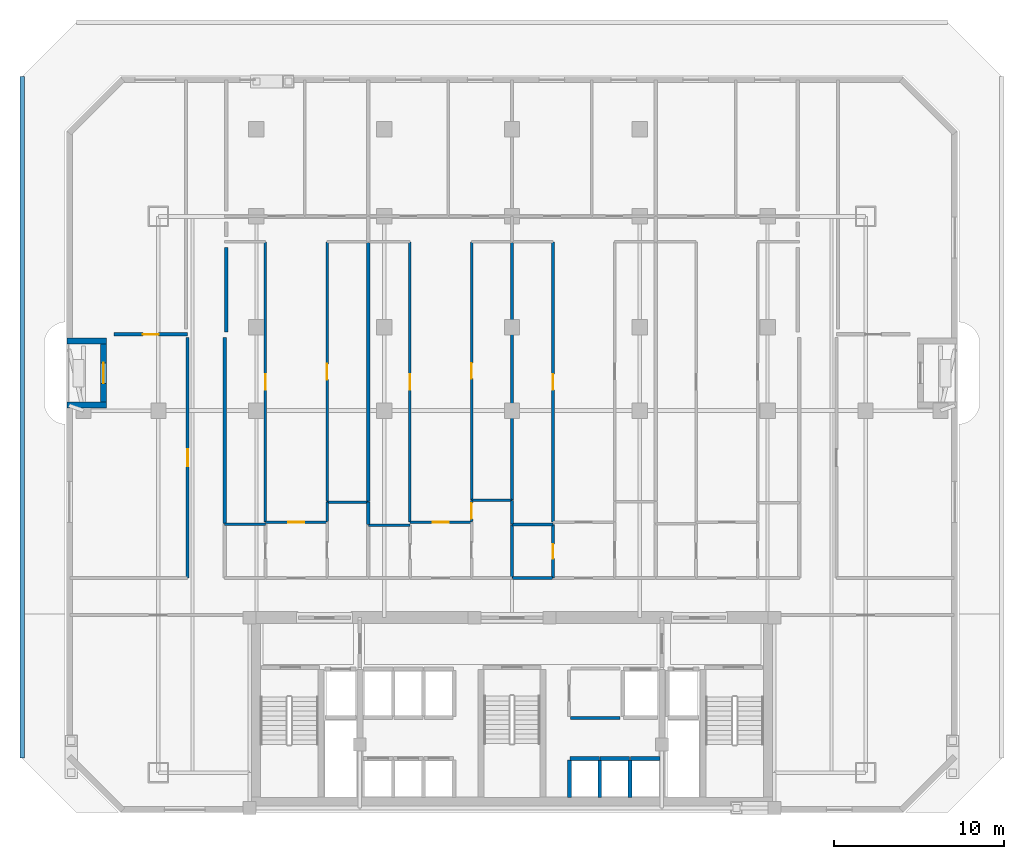
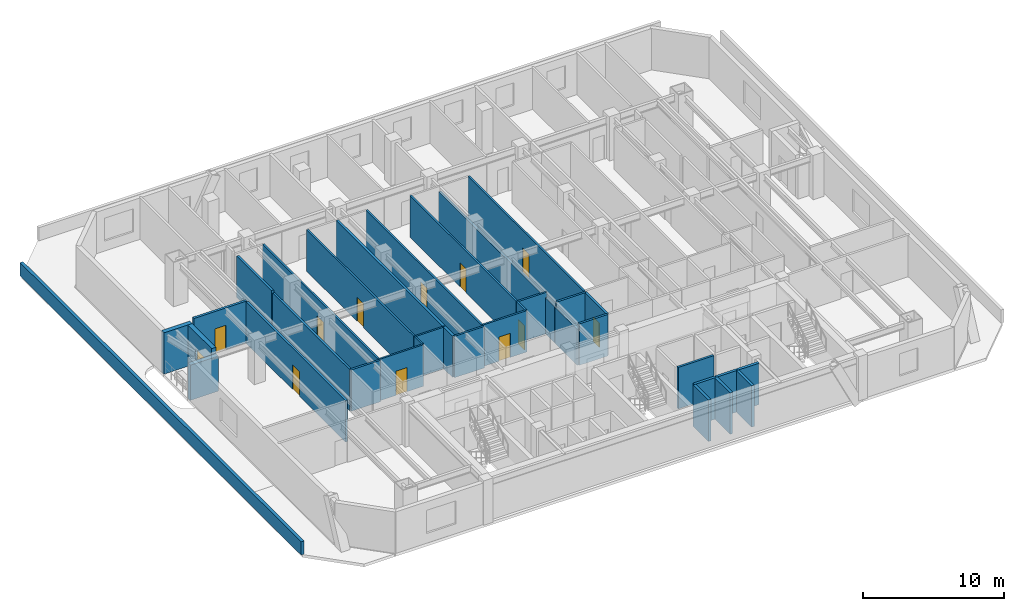
# One storey, part 4 of 10: 36 walls, 12 doors, 12 openings.
"""IFC4 building model written with IfcOpenShell, lengths in metres."""

from ifc_helpers import new_model, si_unit, direction, frame, frame_2d, origin, place, context, subcontext, project, spatial, rectangle, extrude, material, layer, layer_set, type_object, element, fill, save


model = new_model("IFC4")

# Units and contexts
model_context = context("Model", 3, precision=1e-05, world=origin(), true_north=direction((0.0, 1.0)))
body_context = subcontext(model_context, "Body", "Model", "MODEL_VIEW")
ifc_project = project(units=[si_unit("LENGTHUNIT", "METRE"), si_unit("AREAUNIT", "SQUARE_METRE"), si_unit("VOLUMEUNIT", "CUBIC_METRE"), si_unit("PLANEANGLEUNIT", "RADIAN"), si_unit("MASSUNIT", "GRAM", prefix="KILO")], contexts=[model_context])

# Site, building, storey
site_placement = place(None, origin())
site = spatial("IfcSite", under=ifc_project, at=site_placement, CompositionType="ELEMENT")
building_placement = place(site_placement, origin())
building = spatial("IfcBuilding", under=site, at=building_placement, Name="Ventersveld Concourse Tower", CompositionType="ELEMENT")
storey_placement = place(building_placement, frame((0.0, 0.0, 92.60009765625)))
storey = spatial("IfcBuildingStorey", under=building, at=storey_placement, Name="L22", CompositionType="ELEMENT", Elevation=92.60009765625)

# Wall
ifc_material_1 = material(Name="Fire-rated autoclaved aerated masonry blockwork", Category="masonry")
ifc_layer_1 = layer(ifc_material_1, 0.179931640625)
ifc_layer_set_1 = layer_set([ifc_layer_1], Name="Fire-rated autoclaved aerated masonry blockwork")
wall_type_1 = type_object("IfcWallType", Name="WL-CORR-180", PredefinedType="PARTITIONING", material=ifc_layer_set_1)
wall_1_placement = place(storey_placement, frame((32.179931640625, 5.570068359375, 0.0), z_axis=(0.0, 0.0, 1.0), x_axis=(1.0, 0.0, 0.0)))
element("IfcWall", 1, at=wall_1_placement, inside=storey, type_object=wall_type_1, Name="L22 Core Bot Wall SP-L22-CBAY1", PredefinedType="PARTITIONING", context=body_context, shape_type="SweptSolid", body=[
    extrude(rectangle(XDim=2.920166015625, YDim=0.179931640625, at=frame_2d((1.4599609375, 0.0))), origin(), (0.0, 0.0, 1.0), 3.599853515625),
])

# Wall, opening, door
wall_2_placement = place(storey_placement, frame((9.7099609375, 13.764892578125, 0.0), z_axis=(0.0, 0.0, 1.0), x_axis=(0.0, 1.0, 0.0)))
wall_2 = element("IfcWall", 2, at=wall_2_placement, inside=storey, type_object=wall_type_1, Name="L22 Interior Partition SP-L22-COR-SP-L22-NWLNG1", PredefinedType="PARTITIONING", context=body_context, shape_type="SweptSolid", body=[
    extrude(rectangle(XDim=14.130126953125, YDim=0.179931640625, at=frame_2d((7.06494140625, 0.0))), origin(), (0.0, 0.0, 1.0), 3.599853515625),
])
opening_1_placement = place(wall_2_placement, frame((6.56494140625, 0.0, 0.0)))
opening_1 = element("IfcOpeningElement", 3, at=opening_1_placement, cuts=wall_2, Name="Opening FD3", PredefinedType="OPENING", context=body_context, shape_type="SweptSolid", body=[
    extrude(rectangle(XDim=1.0, YDim=2.14990234375, at=frame_2d((0.5, 1.074951171875))), frame((0.0, 0.10009765625, 0.0), z_axis=(0.0, -1.0, 0.0), x_axis=(1.0, 0.0, 0.0)), (0.0, 0.0, 1.0), 0.199951171875),
])
ifc_material_2 = material(Name="Solid-core hardwood veneer timber", Category="wood")
door_type_1 = type_object("IfcDoorType", Name="DR-FLAT-100", OperationType="NOTDEFINED", PredefinedType="DOOR", material=ifc_material_2)
door_1_placement = place(opening_1_placement, origin())
door_1 = element("IfcDoor", 4, at=door_1_placement, inside=storey, type_object=door_type_1, Name="L22 Interior Door SP-L22-COR to SP-L22-NWLNG1 (D-L22-1070)", OperationType="SINGLE_SWING_RIGHT", OverallHeight=2.14990234375, OverallWidth=1.0, PredefinedType="DOOR", context=body_context, shape_type="SweptSolid", body=[
    extrude(rectangle(XDim=1.0, YDim=2.14990234375, at=frame_2d((0.5, 1.074951171875))), frame((0.0, 0.02490234375, 0.0), z_axis=(0.0, -1.0, 0.0), x_axis=(1.0, 0.0, 0.0)), (0.0, 0.0, 1.0), 0.050048828125),
])
fill(opening_1, door_1)

# Walls
wall_3_placement = place(storey_placement, frame((11.889892578125, 16.970947265625, 0.0), z_axis=(0.0, 0.0, 1.0), x_axis=(0.0, 1.0, 0.0)))
element("IfcWall", 5, at=wall_3_placement, inside=storey, type_object=wall_type_1, Name="L22 Interior Partition SP-L22-COR-SP-L22-22N1-OFFL0", PredefinedType="PARTITIONING", context=body_context, shape_type="SweptSolid", body=[
    extrude(rectangle(XDim=10.924072265625, YDim=0.179931640625, at=frame_2d((5.4619140625, 0.0))), origin(), (0.0, 0.0, 1.0), 3.599853515625),
])
wall_4_placement = place(storey_placement, frame((28.784912109375, 13.77001953125, 0.0), z_axis=(0.0, 0.0, 1.0), x_axis=(1.0, 0.0, 0.0)))
element("IfcWall", 6, at=wall_4_placement, inside=storey, type_object=wall_type_1, Name="L22 Interior Partition SP-L22-COR-SP-L22-22N3-BATH", PredefinedType="PARTITIONING", context=body_context, shape_type="SweptSolid", body=[
    extrude(rectangle(XDim=2.337646484375, YDim=0.179931640625, at=frame_2d((1.1689453125, 0.0))), origin(), (0.0, 0.0, 1.0), 3.599853515625),
])
wall_5_placement = place(storey_placement, frame((11.97998046875, 28.2099609375, 0.0), z_axis=(0.0, 0.0, 1.0), x_axis=(0.0, 1.0, 0.0)))
element("IfcWall", 7, at=wall_5_placement, inside=storey, type_object=wall_type_1, Name="L22 Room Enclosure Wall SP-L22-22N1-OFFL0", PredefinedType="PARTITIONING", context=body_context, shape_type="SweptSolid", body=[
    extrude(rectangle(XDim=4.965087890625, YDim=0.179931640625, at=frame_2d((2.482421875, 0.0))), origin(), (0.0, 0.0, 1.0), 3.599853515625),
])

# Wall, opening, door
ifc_layer_2 = layer(ifc_material_1, 0.199951171875)
ifc_layer_set_2 = layer_set([ifc_layer_2], Name="Fire-rated autoclaved aerated masonry blockwork")
wall_type_2 = type_object("IfcWallType", Name="WL-DEMISE-200", PredefinedType="PARTITIONING", material=ifc_layer_set_2)
wall_6_placement = place(storey_placement, frame((5.385009765625, 28.070068359375, 0.0), z_axis=(0.0, 0.0, 1.0), x_axis=(1.0, 0.0, 0.0)))
wall_6 = element("IfcWall", 8, at=wall_6_placement, inside=storey, type_object=wall_type_2, Name="L22 Interior Partition SP-L22-NWLNG1-SP-L22-NWLNG2", PredefinedType="PARTITIONING", context=body_context, shape_type="SweptSolid", body=[
    extrude(rectangle(XDim=4.330078125, YDim=0.199951171875, at=frame_2d((2.1650390625, 0.0))), origin(), (0.0, 0.0, 1.0), 3.599853515625),
])
opening_2_placement = place(wall_6_placement, frame((1.705078125, 0.0, 0.0)))
opening_2 = element("IfcOpeningElement", 9, at=opening_2_placement, cuts=wall_6, Name="Opening ID1", PredefinedType="OPENING", context=body_context, shape_type="SweptSolid", body=[
    extrude(rectangle(XDim=0.919921875, YDim=2.10009765625, at=frame_2d((0.4599609375, 1.050048828125))), frame((0.0, 0.10986328125, 0.0), z_axis=(0.0, -1.0, 0.0), x_axis=(1.0, 0.0, 0.0)), (0.0, 0.0, 1.0), 0.219970703125),
])
door_type_2 = type_object("IfcDoorType", Name="DR-ROOM-092", OperationType="NOTDEFINED", PredefinedType="DOOR", material=ifc_material_2)
door_2_placement = place(opening_2_placement, origin())
door_2 = element("IfcDoor", 10, at=door_2_placement, inside=storey, type_object=door_type_2, Name="L22 Interior Door SP-L22-NWLNG1 to SP-L22-NWLNG2 (D-L22-1076)", OperationType="SINGLE_SWING_RIGHT", OverallHeight=2.10009765625, OverallWidth=0.919921875, PredefinedType="DOOR", context=body_context, shape_type="SweptSolid", body=[
    extrude(rectangle(XDim=0.919921875, YDim=2.10009765625, at=frame_2d((0.4599609375, 1.050048828125))), frame((0.0, 0.02490234375, 0.0), z_axis=(0.0, -1.0, 0.0), x_axis=(1.0, 0.0, 0.0)), (0.0, 0.0, 1.0), 0.050048828125),
])
fill(opening_2, door_2)

# Walls
wall_7_placement = place(storey_placement, frame((20.320068359375, 16.903076171875, 0.0), z_axis=(0.0, 0.0, 1.0), x_axis=(0.0, 1.0, 0.0)))
element("IfcWall", 11, at=wall_7_placement, inside=storey, type_object=wall_type_2, Name="L22 Interior Partition SP-L22-22N1-KIT-SP-L22-22N2-MEDL0", PredefinedType="PARTITIONING", context=body_context, shape_type="SweptSolid", body=[
    extrude(rectangle(XDim=1.32861328125, YDim=0.199951171875, at=frame_2d((0.664306640625, 0.0))), origin(), (0.0, 0.0, 1.0), 3.599853515625),
])
wall_8_placement = place(storey_placement, frame((20.320068359375, 18.26171875, 0.0), z_axis=(0.0, 0.0, 1.0), x_axis=(0.0, 1.0, 0.0)))
element("IfcWall", 12, at=wall_8_placement, inside=storey, type_object=wall_type_2, Name="L22 Interior Partition SP-L22-22N1-DENR-SP-L22-22N2-MEDL0", PredefinedType="PARTITIONING", context=body_context, shape_type="SweptSolid", body=[
    extrude(rectangle(XDim=15.203369140625, YDim=0.199951171875, at=frame_2d((7.6015625, 0.0))), origin(), (0.0, 0.0, 1.0), 3.599853515625),
])
wall_9_placement = place(storey_placement, frame((28.75, 13.764892578125, 0.0), z_axis=(0.0, 0.0, 1.0), x_axis=(0.0, 1.0, 0.0)))
element("IfcWall", 13, at=wall_9_placement, inside=storey, type_object=wall_type_2, Name="L22 Interior Partition SP-L22-22N2-KIT-SP-L22-22N3-BATH", PredefinedType="PARTITIONING", context=body_context, shape_type="SweptSolid", body=[
    extrude(rectangle(XDim=3.153076171875, YDim=0.199951171875, at=frame_2d((1.57666015625, 0.0))), origin(), (0.0, 0.0, 1.0), 3.146484375),
])
wall_10_placement = place(storey_placement, frame((28.75, 16.947998046875, 0.0), z_axis=(0.0, 0.0, 1.0), x_axis=(0.0, 1.0, 0.0)))
element("IfcWall", 14, at=wall_10_placement, inside=storey, type_object=wall_type_2, Name="L22 Interior Partition SP-L22-22N2-KIT-SP-L22-22N3-DENL", PredefinedType="PARTITIONING", context=body_context, shape_type="SweptSolid", body=[
    extrude(rectangle(XDim=1.38427734375, YDim=0.199951171875, at=frame_2d((0.692138671875, 0.0))), origin(), (0.0, 0.0, 1.0), 3.146484375),
])
wall_11_placement = place(storey_placement, frame((28.75, 18.3623046875, 0.0), z_axis=(0.0, 0.0, 1.0), x_axis=(0.0, 1.0, 0.0)))
element("IfcWall", 15, at=wall_11_placement, inside=storey, type_object=wall_type_2, Name="L22 Interior Partition SP-L22-22N2-DENR-SP-L22-22N3-DENL", PredefinedType="PARTITIONING", context=body_context, shape_type="SweptSolid", body=[
    extrude(rectangle(XDim=15.102783203125, YDim=0.199951171875, at=frame_2d((7.55126953125, 0.0))), origin(), (0.0, 0.0, 1.0), 3.146484375),
])
ifc_layer_3 = layer(ifc_material_1, 0.219970703125)
ifc_layer_set_3 = layer_set([ifc_layer_3], Name="Fire-rated autoclaved aerated masonry blockwork")
wall_type_3 = type_object("IfcWallType", Name="WL-HOIST-220", PredefinedType="SOLIDWALL", material=ifc_layer_set_3)
for number, where, z_axis, x_axis, name in (
    (16, (32.1201171875, 0.89990234375, 0.0), (0.0, 0.0, 1.0), (0.0, 1.0, 0.0), "L22 Lift Hoistway Side Wall PM-01W"),
    (17, (33.89990234375, 0.89990234375, 0.0), (0.0, 0.0, 1.0), (0.0, 1.0, 0.0), "L22 Lift Hoistway Side Wall PM-01E"),
):
    element("IfcWall", number, at=place(storey_placement, frame(where, z_axis=z_axis, x_axis=x_axis)), inside=storey, type_object=wall_type_3, Name=name, PredefinedType="SOLIDWALL", context=body_context, shape_type="SweptSolid", body=[
        extrude(rectangle(XDim=2.2001953125, YDim=0.219970703125, at=frame_2d((1.10009765625, 0.0))), origin(), (0.0, 0.0, 1.0), 3.599853515625),
    ])
wall_12_placement = place(storey_placement, frame((32.139892578125, 3.179931640625, 0.0), z_axis=(0.0, 0.0, 1.0), x_axis=(1.0, 0.0, 0.0)))
element("IfcWall", 18, at=wall_12_placement, inside=storey, type_object=wall_type_3, Name="L22 Lift Hoistway Front Wall PM-01", PredefinedType="SOLIDWALL", context=body_context, shape_type="SweptSolid", body=[
    extrude(rectangle(XDim=1.739990234375, YDim=0.219970703125, at=frame_2d((0.8701171875, 0.0))), origin(), (0.0, 0.0, 1.0), 3.599853515625),
])
wall_13_placement = place(storey_placement, frame((35.679931640625, 0.89990234375, 0.0), z_axis=(0.0, 0.0, 1.0), x_axis=(0.0, 1.0, 0.0)))
element("IfcWall", 19, at=wall_13_placement, inside=storey, type_object=wall_type_3, Name="L22 Lift Hoistway Side Wall PM-02E", PredefinedType="SOLIDWALL", context=body_context, shape_type="SweptSolid", body=[
    extrude(rectangle(XDim=2.2001953125, YDim=0.219970703125, at=frame_2d((1.10009765625, 0.0))), origin(), (0.0, 0.0, 1.0), 3.599853515625),
])
for number, where, z_axis, x_axis, name in (
    (20, (33.919921875, 3.179931640625, 0.0), (0.0, 0.0, 1.0), (1.0, 0.0, 0.0), "L22 Lift Hoistway Front Wall PM-02"),
    (21, (35.699951171875, 3.179931640625, 0.0), (0.0, 0.0, 1.0), (1.0, 0.0, 0.0), "L22 Lift Hoistway Front Wall PM-03"),
):
    element("IfcWall", number, at=place(storey_placement, frame(where, z_axis=z_axis, x_axis=x_axis)), inside=storey, type_object=wall_type_3, Name=name, PredefinedType="SOLIDWALL", context=body_context, shape_type="SweptSolid", body=[
        extrude(rectangle(XDim=1.739990234375, YDim=0.219970703125, at=frame_2d((0.8701171875, 0.0))), origin(), (0.0, 0.0, 1.0), 3.599853515625),
    ])

# Wall, opening, door
ifc_material_3 = material(Name="Autoclaved aerated masonry blockwork", Category="masonry")
ifc_layer_4 = layer(ifc_material_3, 0.14990234375)
ifc_layer_set_4 = layer_set([ifc_layer_4], Name="Autoclaved aerated masonry blockwork")
wall_type_4 = type_object("IfcWallType", Name="WL-INT-150", PredefinedType="PARTITIONING", material=ifc_layer_set_4)
wall_14_placement = place(storey_placement, frame((14.275390625, 17.05419921875, 0.0), z_axis=(0.0, 0.0, 1.0), x_axis=(1.0, 0.0, 0.0)))
wall_14 = element("IfcWall", 22, at=wall_14_placement, inside=storey, type_object=wall_type_4, Name="L22 Interior Partition SP-L22-22N1-FOY-SP-L22-22N1-LIV", PredefinedType="PARTITIONING", context=body_context, shape_type="SweptSolid", body=[
    extrude(rectangle(XDim=3.625, YDim=0.14990234375, at=frame_2d((1.8125, 0.0))), origin(), (0.0, 0.0, 1.0), 3.599853515625),
])
opening_3_placement = place(wall_14_placement, frame((1.3525390625, 0.0, 0.0)))
opening_3 = element("IfcOpeningElement", 23, at=opening_3_placement, cuts=wall_14, Name="Opening ID1", PredefinedType="OPENING", context=body_context, shape_type="SweptSolid", body=[
    extrude(rectangle(XDim=0.919921875, YDim=2.10009765625, at=frame_2d((0.4599609375, 1.050048828125))), frame((0.0, 0.0849609375, 0.0), z_axis=(0.0, -1.0, 0.0), x_axis=(1.0, 0.0, 0.0)), (0.0, 0.0, 1.0), 0.169921875),
])
door_3_placement = place(opening_3_placement, origin())
door_3 = element("IfcDoor", 24, at=door_3_placement, inside=storey, type_object=door_type_2, Name="L22 Interior Door SP-L22-22N1-FOY to SP-L22-22N1-LIV (D-L22-1078)", OperationType="SINGLE_SWING_RIGHT", OverallHeight=2.10009765625, OverallWidth=0.919921875, PredefinedType="DOOR", context=body_context, shape_type="SweptSolid", body=[
    extrude(rectangle(XDim=0.919921875, YDim=2.10009765625, at=frame_2d((0.4599609375, 1.050048828125))), frame((0.0, 0.02490234375, 0.0), z_axis=(0.0, -1.0, 0.0), x_axis=(1.0, 0.0, 0.0)), (0.0, 0.0, 1.0), 0.050048828125),
])
fill(opening_3, door_3)

wall_15_placement = place(storey_placement, frame((14.2802734375, 17.049072265625, 0.0), z_axis=(0.0, 0.0, 1.0), x_axis=(0.0, 1.0, 0.0)))
wall_15 = element("IfcWall", 25, at=wall_15_placement, inside=storey, type_object=wall_type_4, Name="L22 Interior Partition SP-L22-22N1-LIV-SP-L22-22N1-OFFL0", PredefinedType="PARTITIONING", context=body_context, shape_type="SweptSolid", body=[
    extrude(rectangle(XDim=16.455810546875, YDim=0.14990234375, at=frame_2d((8.22802734375, 0.0))), origin(), (0.0, 0.0, 1.0), 3.599853515625),
])
opening_4_placement = place(wall_15_placement, frame((7.76806640625, 0.0, 0.0)))
opening_4 = element("IfcOpeningElement", 26, at=opening_4_placement, cuts=wall_15, Name="Opening ID1", PredefinedType="OPENING", context=body_context, shape_type="SweptSolid", body=[
    extrude(rectangle(XDim=0.919921875, YDim=2.10009765625, at=frame_2d((0.4599609375, 1.050048828125))), frame((0.0, 0.0849609375, 0.0), z_axis=(0.0, -1.0, 0.0), x_axis=(1.0, 0.0, 0.0)), (0.0, 0.0, 1.0), 0.169921875),
])
door_4_placement = place(opening_4_placement, origin())
door_4 = element("IfcDoor", 27, at=door_4_placement, inside=storey, type_object=door_type_2, Name="L22 Interior Door SP-L22-22N1-LIV to SP-L22-22N1-OFFL0 (D-L22-1081)", OperationType="SINGLE_SWING_LEFT", OverallHeight=2.10009765625, OverallWidth=0.919921875, PredefinedType="DOOR", context=body_context, shape_type="SweptSolid", body=[
    extrude(rectangle(XDim=0.919921875, YDim=2.10009765625, at=frame_2d((0.4599609375, 1.050048828125))), frame((0.0, 0.02490234375, 0.0), z_axis=(0.0, -1.0, 0.0), x_axis=(1.0, 0.0, 0.0)), (0.0, 0.0, 1.0), 0.050048828125),
])
fill(opening_4, door_4)

# Wall
wall_16_placement = place(storey_placement, frame((17.895263671875, 17.089111328125, 0.0), z_axis=(0.0, 0.0, 1.0), x_axis=(0.0, 1.0, 0.0)))
element("IfcWall", 28, at=wall_16_placement, inside=storey, type_object=wall_type_4, Name="L22 Interior Partition SP-L22-22N1-LIV-SP-L22-22N1-KIT", PredefinedType="PARTITIONING", context=body_context, shape_type="SweptSolid", body=[
    extrude(rectangle(XDim=1.142578125, YDim=0.14990234375, at=frame_2d((0.5712890625, 0.0))), origin(), (0.0, 0.0, 1.0), 3.599853515625),
])

# Wall, opening, door
wall_17_placement = place(storey_placement, frame((17.895263671875, 18.26171875, 0.0), z_axis=(0.0, 0.0, 1.0), x_axis=(0.0, 1.0, 0.0)))
wall_17 = element("IfcWall", 29, at=wall_17_placement, inside=storey, type_object=wall_type_4, Name="L22 Interior Partition SP-L22-22N1-LIV-SP-L22-22N1-DENR", PredefinedType="PARTITIONING", context=body_context, shape_type="SweptSolid", body=[
    extrude(rectangle(XDim=15.2431640625, YDim=0.14990234375, at=frame_2d((7.62158203125, 0.0))), origin(), (0.0, 0.0, 1.0), 3.599853515625),
])
opening_5_placement = place(wall_17_placement, frame((7.16162109375, 0.0, 0.0)))
opening_5 = element("IfcOpeningElement", 30, at=opening_5_placement, cuts=wall_17, Name="Opening ID1", PredefinedType="OPENING", context=body_context, shape_type="SweptSolid", body=[
    extrude(rectangle(XDim=0.919921875, YDim=2.10009765625, at=frame_2d((0.4599609375, 1.050048828125))), frame((0.0, 0.0849609375, 0.0), z_axis=(0.0, -1.0, 0.0), x_axis=(1.0, 0.0, 0.0)), (0.0, 0.0, 1.0), 0.169921875),
])
door_5_placement = place(opening_5_placement, origin())
door_5 = element("IfcDoor", 31, at=door_5_placement, inside=storey, type_object=door_type_2, Name="L22 Interior Door SP-L22-22N1-LIV to SP-L22-22N1-DENR (D-L22-1082)", OperationType="SINGLE_SWING_RIGHT", OverallHeight=2.10009765625, OverallWidth=0.919921875, PredefinedType="DOOR", context=body_context, shape_type="SweptSolid", body=[
    extrude(rectangle(XDim=0.919921875, YDim=2.10009765625, at=frame_2d((0.4599609375, 1.050048828125))), frame((0.0, 0.02490234375, 0.0), z_axis=(0.0, -1.0, 0.0), x_axis=(1.0, 0.0, 0.0)), (0.0, 0.0, 1.0), 0.050048828125),
])
fill(opening_5, door_5)

# Wall
wall_18_placement = place(storey_placement, frame((17.890380859375, 18.226806640625, 0.0), z_axis=(0.0, 0.0, 1.0), x_axis=(1.0, 0.0, 0.0)))
element("IfcWall", 32, at=wall_18_placement, inside=storey, type_object=wall_type_4, Name="L22 Interior Partition SP-L22-22N1-KIT-SP-L22-22N1-DENR", PredefinedType="PARTITIONING", context=body_context, shape_type="SweptSolid", body=[
    extrude(rectangle(XDim=2.4345703125, YDim=0.14990234375, at=frame_2d((1.21728515625, 0.0))), origin(), (0.0, 0.0, 1.0), 3.599853515625),
])

# Wall, opening, door
wall_19_placement = place(storey_placement, frame((22.7568359375, 17.05419921875, 0.0), z_axis=(0.0, 0.0, 1.0), x_axis=(1.0, 0.0, 0.0)))
wall_19 = element("IfcWall", 33, at=wall_19_placement, inside=storey, type_object=wall_type_4, Name="L22 Interior Partition SP-L22-22N2-FOY-SP-L22-22N2-LIV", PredefinedType="PARTITIONING", context=body_context, shape_type="SweptSolid", body=[
    extrude(rectangle(XDim=3.625, YDim=0.14990234375, at=frame_2d((1.8125, 0.0))), origin(), (0.0, 0.0, 1.0), 3.599853515625),
])
opening_6_placement = place(wall_19_placement, frame((1.3525390625, 0.0, 0.0)))
opening_6 = element("IfcOpeningElement", 34, at=opening_6_placement, cuts=wall_19, Name="Opening ID1", PredefinedType="OPENING", context=body_context, shape_type="SweptSolid", body=[
    extrude(rectangle(XDim=0.919921875, YDim=2.10009765625, at=frame_2d((0.4599609375, 1.050048828125))), frame((0.0, 0.0849609375, 0.0), z_axis=(0.0, -1.0, 0.0), x_axis=(1.0, 0.0, 0.0)), (0.0, 0.0, 1.0), 0.169921875),
])
door_6_placement = place(opening_6_placement, origin())
door_6 = element("IfcDoor", 35, at=door_6_placement, inside=storey, type_object=door_type_2, Name="L22 Interior Door SP-L22-22N2-FOY to SP-L22-22N2-LIV (D-L22-1085)", OperationType="SINGLE_SWING_LEFT", OverallHeight=2.10009765625, OverallWidth=0.919921875, PredefinedType="DOOR", context=body_context, shape_type="SweptSolid", body=[
    extrude(rectangle(XDim=0.919921875, YDim=2.10009765625, at=frame_2d((0.4599609375, 1.050048828125))), frame((0.0, 0.02490234375, 0.0), z_axis=(0.0, -1.0, 0.0), x_axis=(1.0, 0.0, 0.0)), (0.0, 0.0, 1.0), 0.050048828125),
])
fill(opening_6, door_6)

wall_20_placement = place(storey_placement, frame((22.76171875, 17.049072265625, 0.0), z_axis=(0.0, 0.0, 1.0), x_axis=(0.0, 1.0, 0.0)))
wall_20 = element("IfcWall", 36, at=wall_20_placement, inside=storey, type_object=wall_type_4, Name="L22 Interior Partition SP-L22-22N2-LIV-SP-L22-22N2-MEDL0", PredefinedType="PARTITIONING", context=body_context, shape_type="SweptSolid", body=[
    extrude(rectangle(XDim=16.455810546875, YDim=0.14990234375, at=frame_2d((8.22802734375, 0.0))), origin(), (0.0, 0.0, 1.0), 3.599853515625),
])
opening_7_placement = place(wall_20_placement, frame((7.76806640625, 0.0, 0.0)))
opening_7 = element("IfcOpeningElement", 37, at=opening_7_placement, cuts=wall_20, Name="Opening ID1", PredefinedType="OPENING", context=body_context, shape_type="SweptSolid", body=[
    extrude(rectangle(XDim=0.919921875, YDim=2.10009765625, at=frame_2d((0.4599609375, 1.050048828125))), frame((0.0, 0.0849609375, 0.0), z_axis=(0.0, -1.0, 0.0), x_axis=(1.0, 0.0, 0.0)), (0.0, 0.0, 1.0), 0.169921875),
])
door_7_placement = place(opening_7_placement, origin())
door_7 = element("IfcDoor", 38, at=door_7_placement, inside=storey, type_object=door_type_2, Name="L22 Interior Door SP-L22-22N2-LIV to SP-L22-22N2-MEDL0 (D-L22-1088)", OperationType="SINGLE_SWING_RIGHT", OverallHeight=2.10009765625, OverallWidth=0.919921875, PredefinedType="DOOR", context=body_context, shape_type="SweptSolid", body=[
    extrude(rectangle(XDim=0.919921875, YDim=2.10009765625, at=frame_2d((0.4599609375, 1.050048828125))), frame((0.0, 0.02490234375, 0.0), z_axis=(0.0, -1.0, 0.0), x_axis=(1.0, 0.0, 0.0)), (0.0, 0.0, 1.0), 0.050048828125),
])
fill(opening_7, door_7)

wall_21_placement = place(storey_placement, frame((26.376708984375, 17.089111328125, 0.0), z_axis=(0.0, 0.0, 1.0), x_axis=(0.0, 1.0, 0.0)))
wall_21 = element("IfcWall", 39, at=wall_21_placement, inside=storey, type_object=wall_type_4, Name="L22 Interior Partition SP-L22-22N2-LIV-SP-L22-22N2-KIT", PredefinedType="PARTITIONING", context=body_context, shape_type="SweptSolid", body=[
    extrude(rectangle(XDim=1.2431640625, YDim=0.14990234375, at=frame_2d((0.62158203125, 0.0))), origin(), (0.0, 0.0, 1.0), 3.599853515625),
])
opening_8_placement = place(wall_21_placement, frame((0.16162109375, 0.0, 0.0)))
opening_8 = element("IfcOpeningElement", 40, at=opening_8_placement, cuts=wall_21, Name="Opening ID1", PredefinedType="OPENING", context=body_context, shape_type="SweptSolid", body=[
    extrude(rectangle(XDim=0.919921875, YDim=2.10009765625, at=frame_2d((0.4599609375, 1.050048828125))), frame((0.0, 0.0849609375, 0.0), z_axis=(0.0, -1.0, 0.0), x_axis=(1.0, 0.0, 0.0)), (0.0, 0.0, 1.0), 0.169921875),
])
door_8_placement = place(opening_8_placement, origin())
door_8 = element("IfcDoor", 41, at=door_8_placement, inside=storey, type_object=door_type_2, Name="L22 Interior Door SP-L22-22N2-LIV to SP-L22-22N2-KIT (D-L22-1089)", OperationType="SINGLE_SWING_LEFT", OverallHeight=2.10009765625, OverallWidth=0.919921875, PredefinedType="DOOR", context=body_context, shape_type="SweptSolid", body=[
    extrude(rectangle(XDim=0.919921875, YDim=2.10009765625, at=frame_2d((0.4599609375, 1.050048828125))), frame((0.0, 0.02490234375, 0.0), z_axis=(0.0, -1.0, 0.0), x_axis=(1.0, 0.0, 0.0)), (0.0, 0.0, 1.0), 0.050048828125),
])
fill(opening_8, door_8)

wall_22_placement = place(storey_placement, frame((26.376708984375, 18.3623046875, 0.0), z_axis=(0.0, 0.0, 1.0), x_axis=(0.0, 1.0, 0.0)))
wall_22 = element("IfcWall", 42, at=wall_22_placement, inside=storey, type_object=wall_type_4, Name="L22 Interior Partition SP-L22-22N2-LIV-SP-L22-22N2-DENR", PredefinedType="PARTITIONING", context=body_context, shape_type="SweptSolid", body=[
    extrude(rectangle(XDim=15.142578125, YDim=0.14990234375, at=frame_2d((7.5712890625, 0.0))), origin(), (0.0, 0.0, 1.0), 3.599853515625),
])
opening_9_placement = place(wall_22_placement, frame((7.111328125, 0.0, 0.0)))
opening_9 = element("IfcOpeningElement", 43, at=opening_9_placement, cuts=wall_22, Name="Opening ID1", PredefinedType="OPENING", context=body_context, shape_type="SweptSolid", body=[
    extrude(rectangle(XDim=0.919921875, YDim=2.10009765625, at=frame_2d((0.4599609375, 1.050048828125))), frame((0.0, 0.0849609375, 0.0), z_axis=(0.0, -1.0, 0.0), x_axis=(1.0, 0.0, 0.0)), (0.0, 0.0, 1.0), 0.169921875),
])
door_9_placement = place(opening_9_placement, origin())
door_9 = element("IfcDoor", 44, at=door_9_placement, inside=storey, type_object=door_type_2, Name="L22 Interior Door SP-L22-22N2-LIV to SP-L22-22N2-DENR (D-L22-1090)", OperationType="SINGLE_SWING_RIGHT", OverallHeight=2.10009765625, OverallWidth=0.919921875, PredefinedType="DOOR", context=body_context, shape_type="SweptSolid", body=[
    extrude(rectangle(XDim=0.919921875, YDim=2.10009765625, at=frame_2d((0.4599609375, 1.050048828125))), frame((0.0, 0.02490234375, 0.0), z_axis=(0.0, -1.0, 0.0), x_axis=(1.0, 0.0, 0.0)), (0.0, 0.0, 1.0), 0.050048828125),
])
fill(opening_9, door_9)

# Wall
wall_23_placement = place(storey_placement, frame((26.371826171875, 18.3271484375, 0.0), z_axis=(0.0, 0.0, 1.0), x_axis=(1.0, 0.0, 0.0)))
element("IfcWall", 45, at=wall_23_placement, inside=storey, type_object=wall_type_4, Name="L22 Interior Partition SP-L22-22N2-KIT-SP-L22-22N2-DENR", PredefinedType="PARTITIONING", context=body_context, shape_type="SweptSolid", body=[
    extrude(rectangle(XDim=2.383056640625, YDim=0.14990234375, at=frame_2d((1.19140625, 0.0))), origin(), (0.0, 0.0, 1.0), 3.599853515625),
])

# Wall, opening, door
wall_24_placement = place(storey_placement, frame((31.157470703125, 17.049072265625, 0.0), z_axis=(0.0, 0.0, 1.0), x_axis=(0.0, 1.0, 0.0)))
wall_24 = element("IfcWall", 46, at=wall_24_placement, inside=storey, type_object=wall_type_4, Name="L22 Interior Partition SP-L22-22N3-LIV-SP-L22-22N3-DENL", PredefinedType="PARTITIONING", context=body_context, shape_type="SweptSolid", body=[
    extrude(rectangle(XDim=16.455810546875, YDim=0.14990234375, at=frame_2d((8.22802734375, 0.0))), origin(), (0.0, 0.0, 1.0), 3.599853515625),
])
opening_10_placement = place(wall_24_placement, frame((7.76806640625, 0.0, 0.0)))
opening_10 = element("IfcOpeningElement", 47, at=opening_10_placement, cuts=wall_24, Name="Opening ID1", PredefinedType="OPENING", context=body_context, shape_type="SweptSolid", body=[
    extrude(rectangle(XDim=0.919921875, YDim=2.10009765625, at=frame_2d((0.4599609375, 1.050048828125))), frame((0.0, 0.0849609375, 0.0), z_axis=(0.0, -1.0, 0.0), x_axis=(1.0, 0.0, 0.0)), (0.0, 0.0, 1.0), 0.169921875),
])
door_10_placement = place(opening_10_placement, origin())
door_10 = element("IfcDoor", 48, at=door_10_placement, inside=storey, type_object=door_type_2, Name="L22 Interior Door SP-L22-22N3-LIV to SP-L22-22N3-DENL (D-L22-1096)", OperationType="SINGLE_SWING_RIGHT", OverallHeight=2.10009765625, OverallWidth=0.919921875, PredefinedType="DOOR", context=body_context, shape_type="SweptSolid", body=[
    extrude(rectangle(XDim=0.919921875, YDim=2.10009765625, at=frame_2d((0.4599609375, 1.050048828125))), frame((0.0, 0.02490234375, 0.0), z_axis=(0.0, -1.0, 0.0), x_axis=(1.0, 0.0, 0.0)), (0.0, 0.0, 1.0), 0.050048828125),
])
fill(opening_10, door_10)

# Walls
ifc_material_4 = material(Name="Precast concrete C45/55", Category="concrete")
ifc_layer_5 = layer(ifc_material_4, 0.25)
ifc_layer_set_5 = layer_set([ifc_layer_5], Name="Precast concrete C45/55")
wall_type_5 = type_object("IfcWallType", Name="WL-PARA-250", PredefinedType="PARAPET", material=ifc_layer_set_5)
wall_25_placement = place(storey_placement, frame((0.0, 43.199951171875, 0.0), z_axis=(0.0, 0.0, 1.0), x_axis=(0.0, -1.0, 0.0)))
element("IfcWall", 49, at=wall_25_placement, inside=storey, type_object=wall_type_5, Name="L22 Setback Roof Parapet Wall 4", PredefinedType="PARAPET", context=body_context, shape_type="SweptSolid", body=[
    extrude(rectangle(XDim=40.0, YDim=0.25, at=frame_2d((20.0, 0.0))), origin(), (0.0, 0.0, 1.0), 1.14990234375),
])
ifc_layer_6 = layer(ifc_material_4, 0.35009765625)
ifc_layer_set_6 = layer_set([ifc_layer_6], Name="Precast concrete C45/55")
wall_type_6 = type_object("IfcWallType", Name="WL-PREC-350", PredefinedType="SOLIDWALL", material=ifc_layer_set_6)
wall_26_placement = place(storey_placement, frame((2.639892578125, 27.675048828125, 0.0), z_axis=(0.0, 0.0, 1.0), x_axis=(1.0, 0.0, 0.0)))
element("IfcWall", 50, at=wall_26_placement, inside=storey, type_object=wall_type_6, Name="L22 Highveld Precast Facade Wall E12", PredefinedType="SOLIDWALL", context=body_context, shape_type="SweptSolid", body=[
    extrude(rectangle(XDim=2.31005859375, YDim=0.35009765625, at=frame_2d((1.155029296875, 0.0))), origin(), (0.0, 0.0, 1.0), 3.599853515625),
])

# Wall, opening, door
wall_27_placement = place(storey_placement, frame((4.77490234375, 27.5, 0.0), z_axis=(0.0, 0.0, 1.0), x_axis=(0.0, -1.0, 0.0)))
wall_27 = element("IfcWall", 51, at=wall_27_placement, inside=storey, type_object=wall_type_6, Name="L22 Highveld Precast Facade Wall E13", PredefinedType="SOLIDWALL", context=body_context, shape_type="SweptSolid", body=[
    extrude(rectangle(XDim=3.39990234375, YDim=0.35009765625, at=frame_2d((1.699951171875, 0.0))), origin(), (0.0, 0.0, 1.0), 3.599853515625),
])
opening_11_placement = place(wall_27_placement, frame((1.10009765625, 0.0, 0.0)))
opening_11 = element("IfcOpeningElement", 52, at=opening_11_placement, cuts=wall_27, Name="Opening TD1", PredefinedType="OPENING", context=body_context, shape_type="SweptSolid", body=[
    extrude(rectangle(XDim=1.199951171875, YDim=2.199951171875, at=frame_2d((0.60009765625, 1.10009765625))), frame((0.0, 0.18505859375, 0.0), z_axis=(0.0, -1.0, 0.0), x_axis=(1.0, 0.0, 0.0)), (0.0, 0.0, 1.0), 0.3701171875),
])
ifc_material_5 = material(Name="Anodised aluminium EN AW-6063-T6", Category="aluminium")
door_type_3 = type_object("IfcDoorType", Name="DR-TERR-120", OperationType="NOTDEFINED", PredefinedType="DOOR", material=ifc_material_5)
door_11_placement = place(opening_11_placement, frame((1.199951171875, 0.0, 0.0), z_axis=(0.0, 0.0, 1.0), x_axis=(-1.0, 0.0, 0.0)))
door_11 = element("IfcDoor", 53, at=door_11_placement, inside=storey, type_object=door_type_3, Name="L22 Stepped Valley Terrace Door TD-L22-01", OperationType="SINGLE_SWING_LEFT", OverallHeight=2.199951171875, OverallWidth=1.199951171875, PredefinedType="DOOR", context=body_context, shape_type="SweptSolid", body=[
    extrude(rectangle(XDim=1.199951171875, YDim=2.199951171875, at=frame_2d((0.60009765625, 1.10009765625))), frame((0.0, 0.02490234375, 0.0), z_axis=(0.0, -1.0, 0.0), x_axis=(1.0, 0.0, 0.0)), (0.0, 0.0, 1.0), 0.050048828125),
])
fill(opening_11, door_11)

# Walls
wall_28_placement = place(storey_placement, frame((4.949951171875, 23.925048828125, 0.0), z_axis=(0.0, 0.0, 1.0), x_axis=(-1.0, 0.0, 0.0)))
element("IfcWall", 54, at=wall_28_placement, inside=storey, type_object=wall_type_6, Name="L22 Highveld Precast Facade Wall E14", PredefinedType="SOLIDWALL", context=body_context, shape_type="SweptSolid", body=[
    extrude(rectangle(XDim=2.31005859375, YDim=0.35009765625, at=frame_2d((1.155029296875, 0.0))), origin(), (0.0, 0.0, 1.0), 3.055419921875),
])
ifc_layer_7 = layer(ifc_material_3, 0.1650390625)
ifc_layer_set_7 = layer_set([ifc_layer_7], Name="Autoclaved aerated masonry blockwork")
wall_type_7 = type_object("IfcWallType", Name="WL-WET-165", PredefinedType="PLUMBINGWALL", material=ifc_layer_set_7)
wall_29_placement = place(storey_placement, frame((11.885009765625, 16.93603515625, 0.0), z_axis=(0.0, 0.0, 1.0), x_axis=(1.0, 0.0, 0.0)))
element("IfcWall", 55, at=wall_29_placement, inside=storey, type_object=wall_type_7, Name="L22 Interior Partition SP-L22-22N1-BATH-SP-L22-22N1-OFFL0", PredefinedType="PLUMBINGWALL", context=body_context, shape_type="SweptSolid", body=[
    extrude(rectangle(XDim=2.400390625, YDim=0.1650390625, at=frame_2d((1.2001953125, 0.0))), origin(), (0.0, 0.0, 1.0), 3.599853515625),
])
wall_30_placement = place(storey_placement, frame((20.31494140625, 16.867919921875, 0.0), z_axis=(0.0, 0.0, 1.0), x_axis=(1.0, 0.0, 0.0)))
element("IfcWall", 56, at=wall_30_placement, inside=storey, type_object=wall_type_7, Name="L22 Interior Partition SP-L22-22N2-BATH-SP-L22-22N2-MEDL0", PredefinedType="PLUMBINGWALL", context=body_context, shape_type="SweptSolid", body=[
    extrude(rectangle(XDim=2.451904296875, YDim=0.1650390625, at=frame_2d((1.22607421875, 0.0))), origin(), (0.0, 0.0, 1.0), 3.599853515625),
])

# Wall, opening, door
wall_31_placement = place(storey_placement, frame((31.157470703125, 13.764892578125, 0.0), z_axis=(0.0, 0.0, 1.0), x_axis=(0.0, 1.0, 0.0)))
wall_31 = element("IfcWall", 57, at=wall_31_placement, inside=storey, type_object=wall_type_7, Name="L22 Interior Partition SP-L22-22N3-FOY-SP-L22-22N3-BATH", PredefinedType="PLUMBINGWALL", context=body_context, shape_type="SweptSolid", body=[
    extrude(rectangle(XDim=3.153076171875, YDim=0.1650390625, at=frame_2d((1.57666015625, 0.0))), origin(), (0.0, 0.0, 1.0), 3.599853515625),
])
opening_12_placement = place(wall_31_placement, frame((1.151611328125, 0.0, 0.0)))
opening_12 = element("IfcOpeningElement", 58, at=opening_12_placement, cuts=wall_31, Name="Opening ID2", PredefinedType="OPENING", context=body_context, shape_type="SweptSolid", body=[
    extrude(rectangle(XDim=0.85009765625, YDim=2.10009765625, at=frame_2d((0.425048828125, 1.050048828125))), frame((0.0, 0.092529296875, 0.0), z_axis=(0.0, -1.0, 0.0), x_axis=(1.0, 0.0, 0.0)), (0.0, 0.0, 1.0), 0.18505859375),
])
door_type_4 = type_object("IfcDoorType", Name="DR-BATH-085", OperationType="NOTDEFINED", PredefinedType="DOOR", material=ifc_material_2)
door_12_placement = place(opening_12_placement, origin())
door_12 = element("IfcDoor", 59, at=door_12_placement, inside=storey, type_object=door_type_4, Name="L22 Interior Door SP-L22-22N3-FOY to SP-L22-22N3-BATH (D-L22-1094)", OperationType="SINGLE_SWING_RIGHT", OverallHeight=2.10009765625, OverallWidth=0.85009765625, PredefinedType="DOOR", context=body_context, shape_type="SweptSolid", body=[
    extrude(rectangle(XDim=0.85009765625, YDim=2.10009765625, at=frame_2d((0.425048828125, 1.050048828125))), frame((0.0, 0.02490234375, 0.0), z_axis=(0.0, -1.0, 0.0), x_axis=(1.0, 0.0, 0.0)), (0.0, 0.0, 1.0), 0.050048828125),
])
fill(opening_12, door_12)

# Wall
wall_32_placement = place(storey_placement, frame((28.7451171875, 16.9130859375, 0.0), z_axis=(0.0, 0.0, 1.0), x_axis=(1.0, 0.0, 0.0)))
element("IfcWall", 60, at=wall_32_placement, inside=storey, type_object=wall_type_7, Name="L22 Interior Partition SP-L22-22N3-BATH-SP-L22-22N3-DENL", PredefinedType="PLUMBINGWALL", context=body_context, shape_type="SweptSolid", body=[
    extrude(rectangle(XDim=2.41748046875, YDim=0.1650390625, at=frame_2d((1.208740234375, 0.0))), origin(), (0.0, 0.0, 1.0), 3.599853515625),
])

save(model, "model.ifc")
